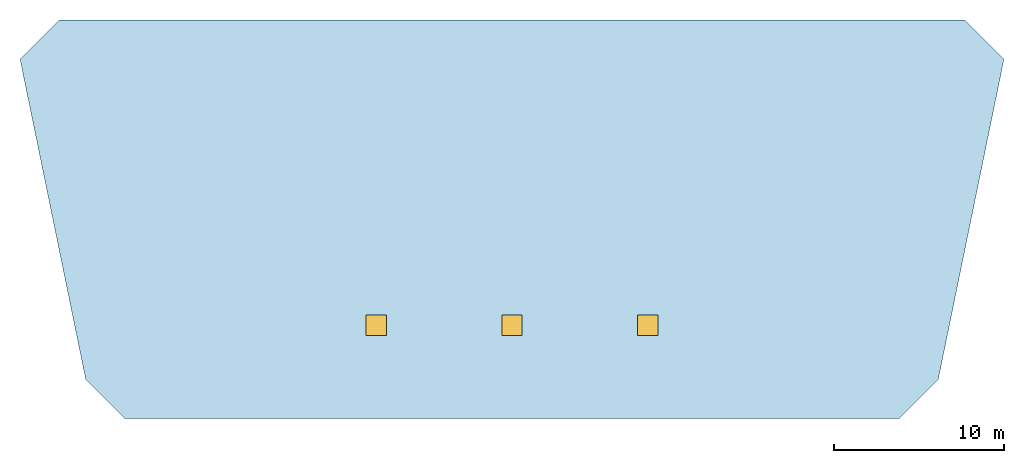
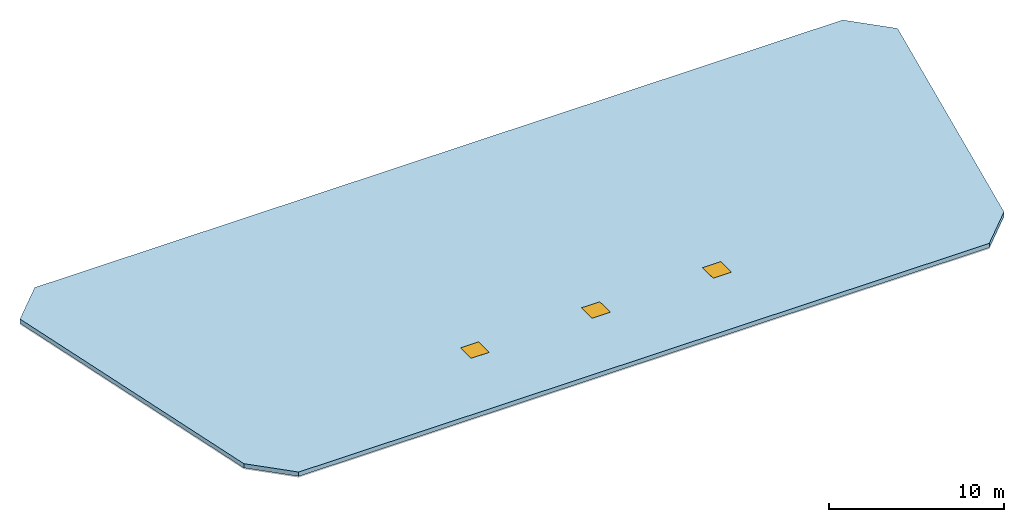
# One storey, part 1 of 2: 3 windows, 1 slab, 3 openings.
"""IFC4 building model written with IfcOpenShell, lengths in metres."""

from ifc_helpers import new_model, si_unit, direction, frame, origin, origin_2d, place, context, subcontext, project, spatial, polyline, rectangle, outline, extrude, material, layer, layer_set, type_object, element, fill, save


model = new_model("IFC4")

# Units and contexts
model_context = context("Model", 3, precision=1e-05, world=origin(), true_north=direction((0.0, 1.0)))
body_context = subcontext(model_context, "Body", "Model", "MODEL_VIEW")
ifc_project = project(units=[si_unit("LENGTHUNIT", "METRE"), si_unit("AREAUNIT", "SQUARE_METRE"), si_unit("VOLUMEUNIT", "CUBIC_METRE"), si_unit("PLANEANGLEUNIT", "RADIAN"), si_unit("MASSUNIT", "GRAM", prefix="KILO")], contexts=[model_context])

# Site, building, storey
site_placement = place(None, origin())
site = spatial("IfcSite", under=ifc_project, at=site_placement, CompositionType="ELEMENT")
building_placement = place(site_placement, origin())
building = spatial("IfcBuilding", under=site, at=building_placement, Name="Vaeldorn Concourse Tower", CompositionType="ELEMENT")
storey_placement = place(building_placement, frame((0.0, 0.0, 316.5)))
storey = spatial("IfcBuildingStorey", under=building, at=storey_placement, Name="ROOF", CompositionType="ELEMENT", Elevation=316.5)

# Slab, openings, windows
ifc_material_1 = material(Name="Concrete C40/50", Category="concrete")
ifc_layer = layer(ifc_material_1, 0.300048828125)
ifc_layer_set = layer_set([ifc_layer], Name="Concrete C40/50")
slab_type = type_object("IfcSlabType", Name="SL-CROWN-ROOF", PredefinedType="ROOF", material=ifc_layer_set)
slab_placement = place(storey_placement, origin())
slab = element("IfcSlab", 1, at=slab_placement, inside=storey, type_object=slab_type, Name="Crown Top Roof Slab L80", PredefinedType="ROOF", context=body_context, shape_type="SweptSolid", body=[
    extrude(outline(polyline([(11.177490234375, 27.5), (56.822509765625, 27.5), (59.12255859375, 29.800048828125), (63.0, 48.699951171875), (60.699951171875, 51.0), (7.300048828125, 51.0), (5.0, 48.699951171875), (8.87744140625, 29.800048828125), (11.177490234375, 27.5)])), origin(), (0.0, 0.0, 1.0), 0.300048828125),
])
opening_1_placement = place(slab_placement, frame((26.0, 33.0, 0.0)))
opening_1 = element("IfcOpeningElement", 2, at=opening_1_placement, cuts=slab, Name="Opening RH-1", PredefinedType="OPENING", context=body_context, shape_type="SweptSolid", body=[
    extrude(rectangle(XDim=1.199951171875, YDim=1.199951171875, at=origin_2d()), origin(), (0.0, 0.0, 1.0), 0.300048828125),
])
opening_2_placement = place(slab_placement, frame((34.0, 33.0, 0.0)))
opening_2 = element("IfcOpeningElement", 3, at=opening_2_placement, cuts=slab, Name="Opening RH-1", PredefinedType="OPENING", context=body_context, shape_type="SweptSolid", body=[
    extrude(rectangle(XDim=1.199951171875, YDim=1.199951171875, at=origin_2d()), origin(), (0.0, 0.0, 1.0), 0.300048828125),
])
opening_3_placement = place(slab_placement, frame((42.0, 33.0, 0.0)))
opening_3 = element("IfcOpeningElement", 4, at=opening_3_placement, cuts=slab, Name="Opening RH-1", PredefinedType="OPENING", context=body_context, shape_type="SweptSolid", body=[
    extrude(rectangle(XDim=1.199951171875, YDim=1.199951171875, at=origin_2d()), origin(), (0.0, 0.0, 1.0), 0.300048828125),
])
ifc_material_2 = material(Name="Anodised Bronze Aluminium", Category="aluminium")
window_type = type_object("IfcWindowType", Name="WN-HATCH-1200x1200", PartitioningType="SINGLE_PANEL", PredefinedType="SKYLIGHT", material=ifc_material_2)
window_1_placement = place(opening_1_placement, frame((0.0, 0.0, 0.25)))
window_1 = element("IfcWindow", 5, at=window_1_placement, inside=storey, type_object=window_type, Name="Crown Roof Maintenance Access Hatch 1", OverallHeight=1.199951171875, OverallWidth=1.199951171875, PartitioningType="SINGLE_PANEL", PredefinedType="SKYLIGHT", context=body_context, shape_type="SweptSolid", body=[
    extrude(rectangle(XDim=1.199951171875, YDim=1.199951171875, at=origin_2d()), origin(), (0.0, 0.0, 1.0), 0.050048828125),
])
fill(opening_1, window_1)
window_2_placement = place(opening_2_placement, frame((0.0, 0.0, 0.25)))
window_2 = element("IfcWindow", 6, at=window_2_placement, inside=storey, type_object=window_type, Name="Crown Roof Maintenance Access Hatch 2", OverallHeight=1.199951171875, OverallWidth=1.199951171875, PartitioningType="SINGLE_PANEL", PredefinedType="SKYLIGHT", context=body_context, shape_type="SweptSolid", body=[
    extrude(rectangle(XDim=1.199951171875, YDim=1.199951171875, at=origin_2d()), origin(), (0.0, 0.0, 1.0), 0.050048828125),
])
fill(opening_2, window_2)
window_3_placement = place(opening_3_placement, frame((0.0, 0.0, 0.25)))
window_3 = element("IfcWindow", 7, at=window_3_placement, inside=storey, type_object=window_type, Name="Crown Roof Maintenance Access Hatch 3", OverallHeight=1.199951171875, OverallWidth=1.199951171875, PartitioningType="SINGLE_PANEL", PredefinedType="SKYLIGHT", context=body_context, shape_type="SweptSolid", body=[
    extrude(rectangle(XDim=1.199951171875, YDim=1.199951171875, at=origin_2d()), origin(), (0.0, 0.0, 1.0), 0.050048828125),
])
fill(opening_3, window_3)

save(model, "model.ifc")
